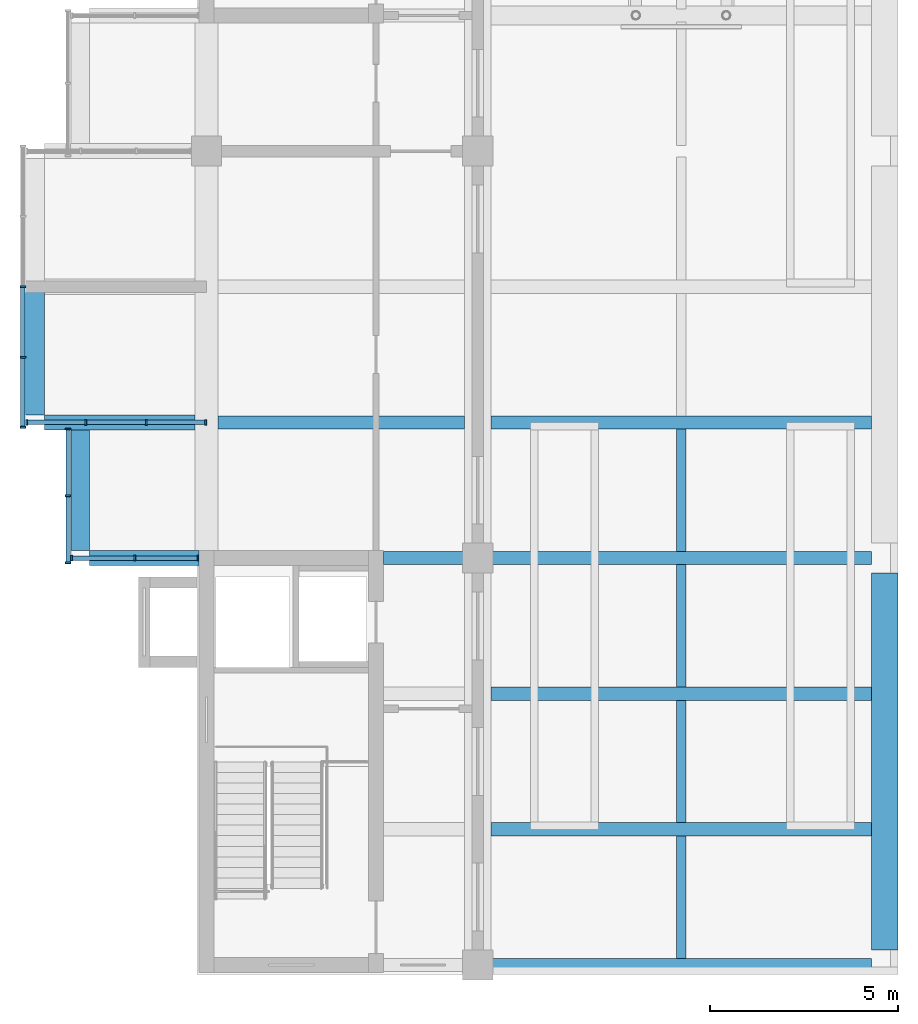
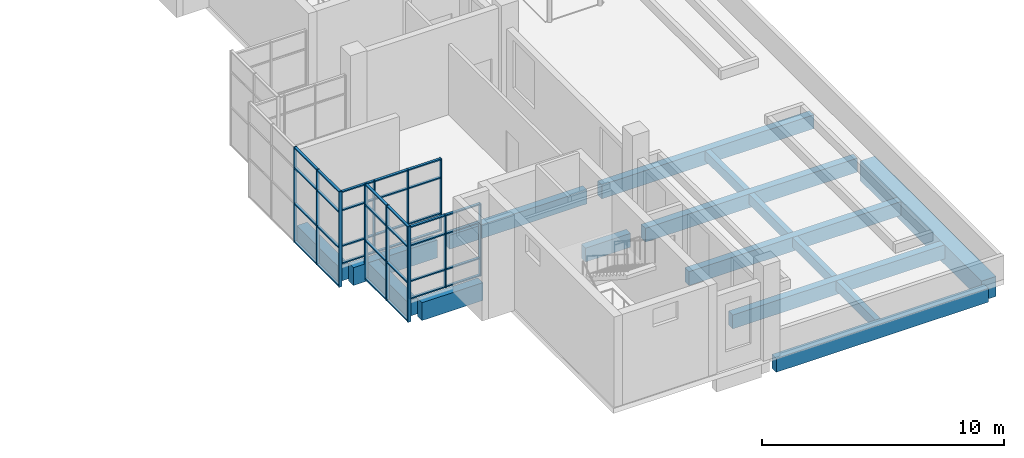
# One storey, part 4 of 16: 49 members, 16 beams, 4 elements without a shape of their own.
"""IFC4 building model written with IfcOpenShell, lengths in metres."""

from ifc_helpers import new_model, si_unit, direction, frame, origin, origin_2d, place, context, subcontext, project, spatial, rectangle, extrude, material, layer, layer_set, material_profile, profile_set, type_object, element, aggregate, save


model = new_model("IFC4")

# Units and contexts
model_context = context("Model", 3, precision=1e-05, world=origin(), true_north=direction((0.0, 1.0)))
body_context = subcontext(model_context, "Body", "Model", "MODEL_VIEW")
ifc_project = project(units=[si_unit("LENGTHUNIT", "METRE"), si_unit("AREAUNIT", "SQUARE_METRE"), si_unit("VOLUMEUNIT", "CUBIC_METRE"), si_unit("PLANEANGLEUNIT", "RADIAN"), si_unit("MASSUNIT", "GRAM", prefix="KILO")], contexts=[model_context])

# Site, building, storey
site_placement = place(None, origin())
site = spatial("IfcSite", under=ifc_project, at=site_placement, CompositionType="ELEMENT")
building_placement = place(site_placement, origin())
building = spatial("IfcBuilding", under=site, at=building_placement, Name="Basin Gate Institute", CompositionType="ELEMENT")
storey_placement = place(building_placement, frame((0.0, 0.0, 65.39990234375)))
storey = spatial("IfcBuildingStorey", under=building, at=storey_placement, Name="L13", CompositionType="ELEMENT", Elevation=65.39990234375)

# Beams
ifc_material_1 = material(Name="Concrete 40 MPa", Category="concrete")
ifc_material_profile_1 = material_profile(ifc_material_1, rectangle(XDim=0.35009765625, YDim=0.699951171875, at=origin_2d()), Name="Beam B1 350 x 700")
ifc_profile_set_1 = profile_set([ifc_material_profile_1], Name="Concrete 40 MPa")
beam_type_1 = type_object("IfcBeamType", Name="Beam B1 R120", PredefinedType="BEAM", material=ifc_profile_set_1)
for number, where, z_axis, x_axis, name in (
    (1, (68.75, 35.10009765625, -0.599853515625), (1.0, 0.0, 0.0), (0.0, 1.0, 0.0), "BEAM/L13/W/EW/01"),
    (2, (68.75, 38.699951171875, -0.599853515625), (1.0, 0.0, 0.0), (0.0, 1.0, 0.0), "BEAM/L13/W/EW/02"),
    (3, (68.75, 42.300048828125, -0.599853515625), (1.0, 0.0, 0.0), (0.0, 1.0, 0.0), "BEAM/L13/W/EW/03"),
    (4, (68.75, 45.89990234375, -0.599853515625), (1.0, 0.0, 0.0), (0.0, 1.0, 0.0), "BEAM/L13/W/EW/04"),
):
    element("IfcBeam", number, at=place(storey_placement, frame(where, z_axis=z_axis, x_axis=x_axis)), inside=storey, type_object=beam_type_1, material=ifc_profile_set_1, Name=name, PredefinedType="BEAM", context=body_context, shape_type="SweptSolid", body=[
        extrude(rectangle(XDim=0.35009765625, YDim=0.699951171875, at=origin_2d()), origin(), (0.0, 0.0, 1.0), 10.10009765625),
    ])
beam_1_placement = place(storey_placement, frame((65.89990234375, 45.89990234375, -0.599853515625), z_axis=(1.0, 0.0, 0.0), x_axis=(0.0, 1.0, 0.0)))
element("IfcBeam", 5, at=beam_1_placement, inside=storey, type_object=beam_type_1, material=ifc_profile_set_1, Name="BEAM/L13/W/CORR/04", PredefinedType="BEAM", context=body_context, shape_type="SweptSolid", body=[
    extrude(rectangle(XDim=0.35009765625, YDim=0.699951171875, at=origin_2d()), origin(), (0.0, 0.0, 1.0), 2.150146484375),
])
beam_2_placement = place(storey_placement, frame((68.75, 49.5, -0.599853515625), z_axis=(1.0, 0.0, 0.0), x_axis=(0.0, 1.0, 0.0)))
element("IfcBeam", 6, at=beam_2_placement, inside=storey, type_object=beam_type_1, material=ifc_profile_set_1, Name="BEAM/L13/W/EW/05", PredefinedType="BEAM", context=body_context, shape_type="SweptSolid", body=[
    extrude(rectangle(XDim=0.35009765625, YDim=0.699951171875, at=origin_2d()), origin(), (0.0, 0.0, 1.0), 10.10009765625),
])
beam_3_placement = place(storey_placement, frame((61.5, 49.5, -0.599853515625), z_axis=(1.0, 0.0, 0.0), x_axis=(0.0, 1.0, 0.0)))
element("IfcBeam", 7, at=beam_3_placement, inside=storey, type_object=beam_type_1, material=ifc_profile_set_1, Name="BEAM/L13/W/OUT/05", PredefinedType="BEAM", context=body_context, shape_type="SweptSolid", body=[
    extrude(rectangle(XDim=0.35009765625, YDim=0.699951171875, at=origin_2d()), origin(), (0.0, 0.0, 1.0), 6.550048828125),
])
ifc_material_2 = material(Name="Concrete 50 MPa", Category="concrete")
ifc_material_profile_2 = material_profile(ifc_material_2, rectangle(XDim=0.39990234375, YDim=0.89990234375, at=origin_2d()), Name="Cantilever beam B3 400 x 900")
ifc_profile_set_2 = profile_set([ifc_material_profile_2], Name="Concrete 50 MPa")
beam_type_2 = type_object("IfcBeamType", Name="Cantilever beam B3 R120", PredefinedType="BEAM", material=ifc_profile_set_2)
beam_4_placement = place(storey_placement, frame((58.10009765625, 45.89990234375, -0.699951171875), z_axis=(1.0, 0.0, 0.0), x_axis=(0.0, 1.0, 0.0)))
element("IfcBeam", 8, at=beam_4_placement, inside=storey, type_object=beam_type_2, material=ifc_profile_set_2, Name="BEAM/L13/W/CANT/04", PredefinedType="BEAM", context=body_context, shape_type="SweptSolid", body=[
    extrude(rectangle(XDim=0.39990234375, YDim=0.89990234375, at=origin_2d()), origin(), (0.0, 0.0, 1.0), 2.89990234375),
])
beam_5_placement = place(storey_placement, frame((56.89990234375, 49.5, -0.699951171875), z_axis=(1.0, 0.0, 0.0), x_axis=(0.0, 1.0, 0.0)))
element("IfcBeam", 9, at=beam_5_placement, inside=storey, type_object=beam_type_2, material=ifc_profile_set_2, Name="BEAM/L13/W/CANT/05", PredefinedType="BEAM", context=body_context, shape_type="SweptSolid", body=[
    extrude(rectangle(XDim=0.39990234375, YDim=0.89990234375, at=origin_2d()), origin(), (0.0, 0.0, 1.0), 4.0),
])
ifc_material_3 = material(Name="Concrete 50 MPa", Category="concrete")
ifc_material_profile_3 = material_profile(ifc_material_3, rectangle(XDim=0.699951171875, YDim=1.0, at=origin_2d()), Name="Girder G1 700 x 1000")
ifc_profile_set_3 = profile_set([ifc_material_profile_3], Name="Concrete 50 MPa")
beam_type_3 = type_object("IfcBeamType", Name="Girder G1 R120", PredefinedType="BEAM", material=ifc_profile_set_3)
beam_6_placement = place(storey_placement, frame((79.199951171875, 35.5, -0.75), z_axis=(0.0, 1.0, 0.0), x_axis=(-1.0, 0.0, 0.0)))
element("IfcBeam", 10, at=beam_6_placement, inside=storey, type_object=beam_type_3, material=ifc_profile_set_3, Name="GIR/L13/W6/1", PredefinedType="BEAM", context=body_context, shape_type="SweptSolid", body=[
    extrude(rectangle(XDim=0.699951171875, YDim=1.0, at=origin_2d()), origin(), (0.0, 0.0, 1.0), 10.0),
])

# Curtain wall, members
ifc_material_4 = material(Name="Aluminium-framed glazing", Category="aluminium")
ifc_layer = layer(ifc_material_4, 0.14990234375)
ifc_layer_set = layer_set([ifc_layer], Name="Capsule front curtain wall CW1")
curtain_wall_type = type_object("IfcCurtainWallType", Name="Capsule front curtain wall CW1", PredefinedType="NOTDEFINED", material=ifc_layer_set)
curtain_wall_1_placement = place(storey_placement, origin())
curtain_wall_1 = element("IfcCurtainWall", 11, at=curtain_wall_1_placement, inside=storey, type_object=curtain_wall_type, material=ifc_layer_set, Name="Capsule front curtain wall W wing capsule end L13 line 4", PredefinedType="NOTDEFINED")
ifc_material_5 = material(Name="Aluminium", Category="aluminium")
ifc_material_profile_4 = material_profile(ifc_material_5, rectangle(XDim=0.14990234375, YDim=0.050048828125, at=origin_2d()), Name="Mullion MU1 150 x 50")
ifc_profile_set_4 = profile_set([ifc_material_profile_4], Name="Aluminium")
member_type_1 = type_object("IfcMemberType", Name="Mullion MU1", PredefinedType="MULLION", material=ifc_profile_set_4)
member_1_placement = place(storey_placement, frame((57.625, 45.89990234375, 0.0), z_axis=(0.0, 0.0, 1.0), x_axis=(0.0, 1.0, 0.0)))
member_1 = element("IfcMember", 12, at=member_1_placement, type_object=member_type_1, material=ifc_profile_set_4, Name="CW1 mullion 1", PredefinedType="MULLION", context=body_context, shape_type="SweptSolid", body=[
    extrude(rectangle(XDim=0.14990234375, YDim=0.050048828125, at=origin_2d()), origin(), (0.0, 0.0, 1.0), 3.650146484375),
])
member_2_placement = place(storey_placement, frame((59.300048828125, 45.89990234375, 0.0), z_axis=(0.0, 0.0, 1.0), x_axis=(0.0, 1.0, 0.0)))
member_2 = element("IfcMember", 13, at=member_2_placement, type_object=member_type_1, material=ifc_profile_set_4, Name="CW1 mullion 2", PredefinedType="MULLION", context=body_context, shape_type="SweptSolid", body=[
    extrude(rectangle(XDim=0.14990234375, YDim=0.050048828125, at=origin_2d()), origin(), (0.0, 0.0, 1.0), 3.650146484375),
])
member_3_placement = place(storey_placement, frame((60.97509765625, 45.89990234375, 0.0), z_axis=(0.0, 0.0, 1.0), x_axis=(0.0, 1.0, 0.0)))
member_3 = element("IfcMember", 14, at=member_3_placement, type_object=member_type_1, material=ifc_profile_set_4, Name="CW1 mullion 3", PredefinedType="MULLION", context=body_context, shape_type="SweptSolid", body=[
    extrude(rectangle(XDim=0.14990234375, YDim=0.050048828125, at=origin_2d()), origin(), (0.0, 0.0, 1.0), 3.650146484375),
])

curtain_wall_2_placement = place(storey_placement, origin())
curtain_wall_2 = element("IfcCurtainWall", 15, at=curtain_wall_2_placement, inside=storey, type_object=curtain_wall_type, material=ifc_layer_set, Name="Capsule front curtain wall W wing capsule end L13 line 5", PredefinedType="NOTDEFINED")
member_4_placement = place(storey_placement, frame((56.425048828125, 49.5, 0.0), z_axis=(0.0, 0.0, 1.0), x_axis=(0.0, 1.0, 0.0)))
member_4 = element("IfcMember", 16, at=member_4_placement, type_object=member_type_1, material=ifc_profile_set_4, Name="CW1 mullion 1", PredefinedType="MULLION", context=body_context, shape_type="SweptSolid", body=[
    extrude(rectangle(XDim=0.14990234375, YDim=0.050048828125, at=origin_2d()), origin(), (0.0, 0.0, 1.0), 3.650146484375),
])
member_5_placement = place(storey_placement, frame((58.0, 49.5, 0.0), z_axis=(0.0, 0.0, 1.0), x_axis=(0.0, 1.0, 0.0)))
member_5 = element("IfcMember", 17, at=member_5_placement, type_object=member_type_1, material=ifc_profile_set_4, Name="CW1 mullion 2", PredefinedType="MULLION", context=body_context, shape_type="SweptSolid", body=[
    extrude(rectangle(XDim=0.14990234375, YDim=0.050048828125, at=origin_2d()), origin(), (0.0, 0.0, 1.0), 3.650146484375),
])
member_6_placement = place(storey_placement, frame((59.60009765625, 49.5, 0.0), z_axis=(0.0, 0.0, 1.0), x_axis=(0.0, 1.0, 0.0)))
member_6 = element("IfcMember", 18, at=member_6_placement, type_object=member_type_1, material=ifc_profile_set_4, Name="CW1 mullion 3", PredefinedType="MULLION", context=body_context, shape_type="SweptSolid", body=[
    extrude(rectangle(XDim=0.14990234375, YDim=0.050048828125, at=origin_2d()), origin(), (0.0, 0.0, 1.0), 3.650146484375),
])
member_7_placement = place(storey_placement, frame((61.175048828125, 49.5, 0.0), z_axis=(0.0, 0.0, 1.0), x_axis=(0.0, 1.0, 0.0)))
member_7 = element("IfcMember", 19, at=member_7_placement, type_object=member_type_1, material=ifc_profile_set_4, Name="CW1 mullion 4", PredefinedType="MULLION", context=body_context, shape_type="SweptSolid", body=[
    extrude(rectangle(XDim=0.14990234375, YDim=0.050048828125, at=origin_2d()), origin(), (0.0, 0.0, 1.0), 3.650146484375),
])

curtain_wall_3_placement = place(storey_placement, origin())
curtain_wall_3 = element("IfcCurtainWall", 20, at=curtain_wall_3_placement, inside=storey, type_object=curtain_wall_type, material=ifc_layer_set, Name="Capsule front curtain wall W wing capsule 1 L13 front 1", PredefinedType="NOTDEFINED")
member_8_placement = place(storey_placement, frame((57.52490234375, 45.77490234375, -1.0498046875), z_axis=(0.0, 0.0, 1.0), x_axis=(-1.0, 0.0, 0.0)))
member_8 = element("IfcMember", 21, at=member_8_placement, type_object=member_type_1, material=ifc_profile_set_4, Name="CW1 mullion 1", PredefinedType="MULLION", context=body_context, shape_type="SweptSolid", body=[
    extrude(rectangle(XDim=0.14990234375, YDim=0.050048828125, at=origin_2d()), origin(), (0.0, 0.0, 1.0), 4.7998046875),
])
member_9_placement = place(storey_placement, frame((57.52490234375, 47.550048828125, -1.0498046875), z_axis=(0.0, 0.0, 1.0), x_axis=(-1.0, 0.0, 0.0)))
member_9 = element("IfcMember", 22, at=member_9_placement, type_object=member_type_1, material=ifc_profile_set_4, Name="CW1 mullion 2", PredefinedType="MULLION", context=body_context, shape_type="SweptSolid", body=[
    extrude(rectangle(XDim=0.14990234375, YDim=0.050048828125, at=origin_2d()), origin(), (0.0, 0.0, 1.0), 4.7998046875),
])
member_10_placement = place(storey_placement, frame((57.52490234375, 49.324951171875, -1.0498046875), z_axis=(0.0, 0.0, 1.0), x_axis=(-1.0, 0.0, 0.0)))
member_10 = element("IfcMember", 23, at=member_10_placement, type_object=member_type_1, material=ifc_profile_set_4, Name="CW1 mullion 3", PredefinedType="MULLION", context=body_context, shape_type="SweptSolid", body=[
    extrude(rectangle(XDim=0.14990234375, YDim=0.050048828125, at=origin_2d()), origin(), (0.0, 0.0, 1.0), 4.7998046875),
])

curtain_wall_4_placement = place(storey_placement, origin())
curtain_wall_4 = element("IfcCurtainWall", 24, at=curtain_wall_4_placement, inside=storey, type_object=curtain_wall_type, material=ifc_layer_set, Name="Capsule front curtain wall W wing capsule 1 L13 front 2", PredefinedType="NOTDEFINED")
member_11_placement = place(storey_placement, frame((56.324951171875, 49.375, -1.0498046875), z_axis=(0.0, 0.0, 1.0), x_axis=(-1.0, 0.0, 0.0)))
member_11 = element("IfcMember", 25, at=member_11_placement, type_object=member_type_1, material=ifc_profile_set_4, Name="CW1 mullion 1", PredefinedType="MULLION", context=body_context, shape_type="SweptSolid", body=[
    extrude(rectangle(XDim=0.14990234375, YDim=0.050048828125, at=origin_2d()), origin(), (0.0, 0.0, 1.0), 4.7998046875),
])
member_12_placement = place(storey_placement, frame((56.324951171875, 51.22509765625, -1.0498046875), z_axis=(0.0, 0.0, 1.0), x_axis=(-1.0, 0.0, 0.0)))
member_12 = element("IfcMember", 26, at=member_12_placement, type_object=member_type_1, material=ifc_profile_set_4, Name="CW1 mullion 2", PredefinedType="MULLION", context=body_context, shape_type="SweptSolid", body=[
    extrude(rectangle(XDim=0.14990234375, YDim=0.050048828125, at=origin_2d()), origin(), (0.0, 0.0, 1.0), 4.7998046875),
])
member_13_placement = place(storey_placement, frame((56.324951171875, 53.10009765625, -1.0498046875), z_axis=(0.0, 0.0, 1.0), x_axis=(-1.0, 0.0, 0.0)))
member_13 = element("IfcMember", 27, at=member_13_placement, type_object=member_type_1, material=ifc_profile_set_4, Name="CW1 mullion 3", PredefinedType="MULLION", context=body_context, shape_type="SweptSolid", body=[
    extrude(rectangle(XDim=0.14990234375, YDim=0.050048828125, at=origin_2d()), origin(), (0.0, 0.0, 1.0), 4.7998046875),
])

# Beams
ifc_material_6 = material(Name="Concrete 40 MPa", Category="concrete")
ifc_material_profile_5 = material_profile(ifc_material_6, rectangle(XDim=0.25, YDim=0.5, at=origin_2d()), Name="Rib R1 250 x 500")
ifc_profile_set_5 = profile_set([ifc_material_profile_5], Name="Concrete 40 MPa")
beam_type_4 = type_object("IfcBeamType", Name="Rib R1 R120", PredefinedType="JOIST", material=ifc_profile_set_5)
for number, where, z_axis, x_axis, name in (
    (28, (73.800048828125, 35.27490234375, -0.5), (0.0, 1.0, 0.0), (-1.0, 0.0, 0.0), "BEAM/L13/W/RIB/01"),
    (29, (73.800048828125, 38.875, -0.5), (0.0, 1.0, 0.0), (-1.0, 0.0, 0.0), "BEAM/L13/W/RIB/02"),
    (30, (73.800048828125, 42.47509765625, -0.5), (0.0, 1.0, 0.0), (-1.0, 0.0, 0.0), "BEAM/L13/W/RIB/03"),
    (31, (73.800048828125, 46.074951171875, -0.5), (0.0, 1.0, 0.0), (-1.0, 0.0, 0.0), "BEAM/L13/W/RIB/04"),
):
    element("IfcBeam", number, at=place(storey_placement, frame(where, z_axis=z_axis, x_axis=x_axis)), inside=storey, type_object=beam_type_4, material=ifc_profile_set_5, Name=name, PredefinedType="JOIST", context=body_context, shape_type="SweptSolid", body=[
        extrude(rectangle(XDim=0.25, YDim=0.5, at=origin_2d()), origin(), (0.0, 0.0, 1.0), 3.25),
    ])
ifc_material_7 = material(Name="Concrete 50 MPa", Category="concrete")
ifc_material_profile_6 = material_profile(ifc_material_7, rectangle(XDim=0.5, YDim=0.800048828125, at=origin_2d()), Name="Tip beam TB1 500 x 800")
ifc_profile_set_6 = profile_set([ifc_material_profile_6], Name="Concrete 50 MPa")
beam_type_5 = type_object("IfcBeamType", Name="Tip beam TB1 R120", PredefinedType="SPANDREL", material=ifc_profile_set_6)
beam_7_placement = place(storey_placement, frame((57.85009765625, 46.10009765625, -0.64990234375), z_axis=(0.0, 1.0, 0.0), x_axis=(-1.0, 0.0, 0.0)))
element("IfcBeam", 32, at=beam_7_placement, inside=storey, type_object=beam_type_5, material=ifc_profile_set_6, Name="BEAM/L13/W/TIP/1", PredefinedType="SPANDREL", context=body_context, shape_type="SweptSolid", body=[
    extrude(rectangle(XDim=0.5, YDim=0.800048828125, at=origin_2d()), origin(), (0.0, 0.0, 1.0), 3.199951171875),
])
beam_8_placement = place(storey_placement, frame((56.64990234375, 49.699951171875, -0.64990234375), z_axis=(0.0, 1.0, 0.0), x_axis=(-1.0, 0.0, 0.0)))
element("IfcBeam", 33, at=beam_8_placement, inside=storey, type_object=beam_type_5, material=ifc_profile_set_6, Name="BEAM/L13/W/TIP/2", PredefinedType="SPANDREL", context=body_context, shape_type="SweptSolid", body=[
    extrude(rectangle(XDim=0.5, YDim=0.800048828125, at=origin_2d()), origin(), (0.0, 0.0, 1.0), 3.400146484375),
])

# Member
ifc_material_8 = material(Name="Aluminium", Category="aluminium")
ifc_material_profile_7 = material_profile(ifc_material_8, rectangle(XDim=0.1201171875, YDim=0.06005859375, at=origin_2d()), Name="Transom TR1 120 x 60")
ifc_profile_set_7 = profile_set([ifc_material_profile_7], Name="Aluminium")
member_type_2 = type_object("IfcMemberType", Name="Transom TR1", PredefinedType="USERDEFINED", material=ifc_profile_set_7)
member_14_placement = place(storey_placement, frame((57.64990234375, 45.89990234375, 0.030029296875), z_axis=(1.0, 0.0, 0.0), x_axis=(0.0, 1.0, 0.0)))
member_14 = element("IfcMember", 34, at=member_14_placement, type_object=member_type_2, material=ifc_profile_set_7, Name="CW1 transom 1.1", ObjectType="TRANSOM", PredefinedType="USERDEFINED", context=body_context, shape_type="SweptSolid", body=[
    extrude(rectangle(XDim=0.1201171875, YDim=0.06005859375, at=origin_2d()), origin(), (0.0, 0.0, 1.0), 1.625),
])

member_15_placement = place(storey_placement, frame((57.64990234375, 45.89990234375, 0.900146484375), z_axis=(1.0, 0.0, 0.0), x_axis=(0.0, 1.0, 0.0)))
member_15 = element("IfcMember", 35, at=member_15_placement, type_object=member_type_2, material=ifc_profile_set_7, Name="CW1 transom 1.2", ObjectType="TRANSOM", PredefinedType="USERDEFINED", context=body_context, shape_type="SweptSolid", body=[
    extrude(rectangle(XDim=0.1201171875, YDim=0.06005859375, at=origin_2d()), origin(), (0.0, 0.0, 1.0), 1.625),
])

member_16_placement = place(storey_placement, frame((57.64990234375, 45.89990234375, 2.7001953125), z_axis=(1.0, 0.0, 0.0), x_axis=(0.0, 1.0, 0.0)))
member_16 = element("IfcMember", 36, at=member_16_placement, type_object=member_type_2, material=ifc_profile_set_7, Name="CW1 transom 1.3", ObjectType="TRANSOM", PredefinedType="USERDEFINED", context=body_context, shape_type="SweptSolid", body=[
    extrude(rectangle(XDim=0.1201171875, YDim=0.06005859375, at=origin_2d()), origin(), (0.0, 0.0, 1.0), 1.625),
])

member_17_placement = place(storey_placement, frame((57.64990234375, 45.89990234375, 3.6201171875), z_axis=(1.0, 0.0, 0.0), x_axis=(0.0, 1.0, 0.0)))
member_17 = element("IfcMember", 37, at=member_17_placement, type_object=member_type_2, material=ifc_profile_set_7, Name="CW1 transom 1.4", ObjectType="TRANSOM", PredefinedType="USERDEFINED", context=body_context, shape_type="SweptSolid", body=[
    extrude(rectangle(XDim=0.1201171875, YDim=0.06005859375, at=origin_2d()), origin(), (0.0, 0.0, 1.0), 1.625),
])

member_18_placement = place(storey_placement, frame((59.324951171875, 45.89990234375, 0.030029296875), z_axis=(1.0, 0.0, 0.0), x_axis=(0.0, 1.0, 0.0)))
member_18 = element("IfcMember", 38, at=member_18_placement, type_object=member_type_2, material=ifc_profile_set_7, Name="CW1 transom 2.1", ObjectType="TRANSOM", PredefinedType="USERDEFINED", context=body_context, shape_type="SweptSolid", body=[
    extrude(rectangle(XDim=0.1201171875, YDim=0.06005859375, at=origin_2d()), origin(), (0.0, 0.0, 1.0), 1.625),
])

member_19_placement = place(storey_placement, frame((59.324951171875, 45.89990234375, 0.900146484375), z_axis=(1.0, 0.0, 0.0), x_axis=(0.0, 1.0, 0.0)))
member_19 = element("IfcMember", 39, at=member_19_placement, type_object=member_type_2, material=ifc_profile_set_7, Name="CW1 transom 2.2", ObjectType="TRANSOM", PredefinedType="USERDEFINED", context=body_context, shape_type="SweptSolid", body=[
    extrude(rectangle(XDim=0.1201171875, YDim=0.06005859375, at=origin_2d()), origin(), (0.0, 0.0, 1.0), 1.625),
])

member_20_placement = place(storey_placement, frame((59.324951171875, 45.89990234375, 2.7001953125), z_axis=(1.0, 0.0, 0.0), x_axis=(0.0, 1.0, 0.0)))
member_20 = element("IfcMember", 40, at=member_20_placement, type_object=member_type_2, material=ifc_profile_set_7, Name="CW1 transom 2.3", ObjectType="TRANSOM", PredefinedType="USERDEFINED", context=body_context, shape_type="SweptSolid", body=[
    extrude(rectangle(XDim=0.1201171875, YDim=0.06005859375, at=origin_2d()), origin(), (0.0, 0.0, 1.0), 1.625),
])

member_21_placement = place(storey_placement, frame((59.324951171875, 45.89990234375, 3.6201171875), z_axis=(1.0, 0.0, 0.0), x_axis=(0.0, 1.0, 0.0)))
member_21 = element("IfcMember", 41, at=member_21_placement, type_object=member_type_2, material=ifc_profile_set_7, Name="CW1 transom 2.4", ObjectType="TRANSOM", PredefinedType="USERDEFINED", context=body_context, shape_type="SweptSolid", body=[
    extrude(rectangle(XDim=0.1201171875, YDim=0.06005859375, at=origin_2d()), origin(), (0.0, 0.0, 1.0), 1.625),
])

aggregate(curtain_wall_1, [member_1, member_2, member_3, member_14, member_15, member_16, member_17, member_18, member_19, member_20, member_21])

member_22_placement = place(storey_placement, frame((56.449951171875, 49.5, 0.030029296875), z_axis=(1.0, 0.0, 0.0), x_axis=(0.0, 1.0, 0.0)))
member_22 = element("IfcMember", 42, at=member_22_placement, type_object=member_type_2, material=ifc_profile_set_7, Name="CW1 transom 1.1", ObjectType="TRANSOM", PredefinedType="USERDEFINED", context=body_context, shape_type="SweptSolid", body=[
    extrude(rectangle(XDim=0.1201171875, YDim=0.06005859375, at=origin_2d()), origin(), (0.0, 0.0, 1.0), 1.525146484375),
])

member_23_placement = place(storey_placement, frame((56.449951171875, 49.5, 0.900146484375), z_axis=(1.0, 0.0, 0.0), x_axis=(0.0, 1.0, 0.0)))
member_23 = element("IfcMember", 43, at=member_23_placement, type_object=member_type_2, material=ifc_profile_set_7, Name="CW1 transom 1.2", ObjectType="TRANSOM", PredefinedType="USERDEFINED", context=body_context, shape_type="SweptSolid", body=[
    extrude(rectangle(XDim=0.1201171875, YDim=0.06005859375, at=origin_2d()), origin(), (0.0, 0.0, 1.0), 1.525146484375),
])

member_24_placement = place(storey_placement, frame((56.449951171875, 49.5, 2.7001953125), z_axis=(1.0, 0.0, 0.0), x_axis=(0.0, 1.0, 0.0)))
member_24 = element("IfcMember", 44, at=member_24_placement, type_object=member_type_2, material=ifc_profile_set_7, Name="CW1 transom 1.3", ObjectType="TRANSOM", PredefinedType="USERDEFINED", context=body_context, shape_type="SweptSolid", body=[
    extrude(rectangle(XDim=0.1201171875, YDim=0.06005859375, at=origin_2d()), origin(), (0.0, 0.0, 1.0), 1.525146484375),
])

member_25_placement = place(storey_placement, frame((56.449951171875, 49.5, 3.6201171875), z_axis=(1.0, 0.0, 0.0), x_axis=(0.0, 1.0, 0.0)))
member_25 = element("IfcMember", 45, at=member_25_placement, type_object=member_type_2, material=ifc_profile_set_7, Name="CW1 transom 1.4", ObjectType="TRANSOM", PredefinedType="USERDEFINED", context=body_context, shape_type="SweptSolid", body=[
    extrude(rectangle(XDim=0.1201171875, YDim=0.06005859375, at=origin_2d()), origin(), (0.0, 0.0, 1.0), 1.525146484375),
])

member_26_placement = place(storey_placement, frame((58.02490234375, 49.5, 0.030029296875), z_axis=(1.0, 0.0, 0.0), x_axis=(0.0, 1.0, 0.0)))
member_26 = element("IfcMember", 46, at=member_26_placement, type_object=member_type_2, material=ifc_profile_set_7, Name="CW1 transom 2.1", ObjectType="TRANSOM", PredefinedType="USERDEFINED", context=body_context, shape_type="SweptSolid", body=[
    extrude(rectangle(XDim=0.1201171875, YDim=0.06005859375, at=origin_2d()), origin(), (0.0, 0.0, 1.0), 1.550048828125),
])

member_27_placement = place(storey_placement, frame((58.02490234375, 49.5, 0.900146484375), z_axis=(1.0, 0.0, 0.0), x_axis=(0.0, 1.0, 0.0)))
member_27 = element("IfcMember", 47, at=member_27_placement, type_object=member_type_2, material=ifc_profile_set_7, Name="CW1 transom 2.2", ObjectType="TRANSOM", PredefinedType="USERDEFINED", context=body_context, shape_type="SweptSolid", body=[
    extrude(rectangle(XDim=0.1201171875, YDim=0.06005859375, at=origin_2d()), origin(), (0.0, 0.0, 1.0), 1.550048828125),
])

member_28_placement = place(storey_placement, frame((58.02490234375, 49.5, 2.7001953125), z_axis=(1.0, 0.0, 0.0), x_axis=(0.0, 1.0, 0.0)))
member_28 = element("IfcMember", 48, at=member_28_placement, type_object=member_type_2, material=ifc_profile_set_7, Name="CW1 transom 2.3", ObjectType="TRANSOM", PredefinedType="USERDEFINED", context=body_context, shape_type="SweptSolid", body=[
    extrude(rectangle(XDim=0.1201171875, YDim=0.06005859375, at=origin_2d()), origin(), (0.0, 0.0, 1.0), 1.550048828125),
])

member_29_placement = place(storey_placement, frame((58.02490234375, 49.5, 3.6201171875), z_axis=(1.0, 0.0, 0.0), x_axis=(0.0, 1.0, 0.0)))
member_29 = element("IfcMember", 49, at=member_29_placement, type_object=member_type_2, material=ifc_profile_set_7, Name="CW1 transom 2.4", ObjectType="TRANSOM", PredefinedType="USERDEFINED", context=body_context, shape_type="SweptSolid", body=[
    extrude(rectangle(XDim=0.1201171875, YDim=0.06005859375, at=origin_2d()), origin(), (0.0, 0.0, 1.0), 1.550048828125),
])

member_30_placement = place(storey_placement, frame((59.625, 49.5, 0.030029296875), z_axis=(1.0, 0.0, 0.0), x_axis=(0.0, 1.0, 0.0)))
member_30 = element("IfcMember", 50, at=member_30_placement, type_object=member_type_2, material=ifc_profile_set_7, Name="CW1 transom 3.1", ObjectType="TRANSOM", PredefinedType="USERDEFINED", context=body_context, shape_type="SweptSolid", body=[
    extrude(rectangle(XDim=0.1201171875, YDim=0.06005859375, at=origin_2d()), origin(), (0.0, 0.0, 1.0), 1.52490234375),
])

member_31_placement = place(storey_placement, frame((59.625, 49.5, 0.900146484375), z_axis=(1.0, 0.0, 0.0), x_axis=(0.0, 1.0, 0.0)))
member_31 = element("IfcMember", 51, at=member_31_placement, type_object=member_type_2, material=ifc_profile_set_7, Name="CW1 transom 3.2", ObjectType="TRANSOM", PredefinedType="USERDEFINED", context=body_context, shape_type="SweptSolid", body=[
    extrude(rectangle(XDim=0.1201171875, YDim=0.06005859375, at=origin_2d()), origin(), (0.0, 0.0, 1.0), 1.52490234375),
])

member_32_placement = place(storey_placement, frame((59.625, 49.5, 2.7001953125), z_axis=(1.0, 0.0, 0.0), x_axis=(0.0, 1.0, 0.0)))
member_32 = element("IfcMember", 52, at=member_32_placement, type_object=member_type_2, material=ifc_profile_set_7, Name="CW1 transom 3.3", ObjectType="TRANSOM", PredefinedType="USERDEFINED", context=body_context, shape_type="SweptSolid", body=[
    extrude(rectangle(XDim=0.1201171875, YDim=0.06005859375, at=origin_2d()), origin(), (0.0, 0.0, 1.0), 1.52490234375),
])

member_33_placement = place(storey_placement, frame((59.625, 49.5, 3.6201171875), z_axis=(1.0, 0.0, 0.0), x_axis=(0.0, 1.0, 0.0)))
member_33 = element("IfcMember", 53, at=member_33_placement, type_object=member_type_2, material=ifc_profile_set_7, Name="CW1 transom 3.4", ObjectType="TRANSOM", PredefinedType="USERDEFINED", context=body_context, shape_type="SweptSolid", body=[
    extrude(rectangle(XDim=0.1201171875, YDim=0.06005859375, at=origin_2d()), origin(), (0.0, 0.0, 1.0), 1.52490234375),
])

aggregate(curtain_wall_2, [member_4, member_5, member_6, member_7, member_22, member_23, member_24, member_25, member_26, member_27, member_28, member_29, member_30, member_31, member_32, member_33])

member_34_placement = place(storey_placement, frame((57.52490234375, 45.800048828125, -1.02001953125), z_axis=(0.0, 1.0, 0.0), x_axis=(-1.0, 0.0, 0.0)))
member_34 = element("IfcMember", 54, at=member_34_placement, type_object=member_type_2, material=ifc_profile_set_7, Name="CW1 transom 1.1", ObjectType="TRANSOM", PredefinedType="USERDEFINED", context=body_context, shape_type="SweptSolid", body=[
    extrude(rectangle(XDim=0.1201171875, YDim=0.06005859375, at=origin_2d()), origin(), (0.0, 0.0, 1.0), 1.724853515625),
])

member_35_placement = place(storey_placement, frame((57.52490234375, 45.800048828125, 0.900146484375), z_axis=(0.0, 1.0, 0.0), x_axis=(-1.0, 0.0, 0.0)))
member_35 = element("IfcMember", 55, at=member_35_placement, type_object=member_type_2, material=ifc_profile_set_7, Name="CW1 transom 1.2", ObjectType="TRANSOM", PredefinedType="USERDEFINED", context=body_context, shape_type="SweptSolid", body=[
    extrude(rectangle(XDim=0.1201171875, YDim=0.06005859375, at=origin_2d()), origin(), (0.0, 0.0, 1.0), 1.724853515625),
])

member_36_placement = place(storey_placement, frame((57.52490234375, 45.800048828125, 2.7001953125), z_axis=(0.0, 1.0, 0.0), x_axis=(-1.0, 0.0, 0.0)))
member_36 = element("IfcMember", 56, at=member_36_placement, type_object=member_type_2, material=ifc_profile_set_7, Name="CW1 transom 1.3", ObjectType="TRANSOM", PredefinedType="USERDEFINED", context=body_context, shape_type="SweptSolid", body=[
    extrude(rectangle(XDim=0.1201171875, YDim=0.06005859375, at=origin_2d()), origin(), (0.0, 0.0, 1.0), 1.724853515625),
])

member_37_placement = place(storey_placement, frame((57.52490234375, 45.800048828125, 3.72021484375), z_axis=(0.0, 1.0, 0.0), x_axis=(-1.0, 0.0, 0.0)))
member_37 = element("IfcMember", 57, at=member_37_placement, type_object=member_type_2, material=ifc_profile_set_7, Name="CW1 transom 1.4", ObjectType="TRANSOM", PredefinedType="USERDEFINED", context=body_context, shape_type="SweptSolid", body=[
    extrude(rectangle(XDim=0.1201171875, YDim=0.06005859375, at=origin_2d()), origin(), (0.0, 0.0, 1.0), 1.724853515625),
])

member_38_placement = place(storey_placement, frame((57.52490234375, 47.574951171875, -1.02001953125), z_axis=(0.0, 1.0, 0.0), x_axis=(-1.0, 0.0, 0.0)))
member_38 = element("IfcMember", 58, at=member_38_placement, type_object=member_type_2, material=ifc_profile_set_7, Name="CW1 transom 2.1", ObjectType="TRANSOM", PredefinedType="USERDEFINED", context=body_context, shape_type="SweptSolid", body=[
    extrude(rectangle(XDim=0.1201171875, YDim=0.06005859375, at=origin_2d()), origin(), (0.0, 0.0, 1.0), 1.72509765625),
])

member_39_placement = place(storey_placement, frame((57.52490234375, 47.574951171875, 0.900146484375), z_axis=(0.0, 1.0, 0.0), x_axis=(-1.0, 0.0, 0.0)))
member_39 = element("IfcMember", 59, at=member_39_placement, type_object=member_type_2, material=ifc_profile_set_7, Name="CW1 transom 2.2", ObjectType="TRANSOM", PredefinedType="USERDEFINED", context=body_context, shape_type="SweptSolid", body=[
    extrude(rectangle(XDim=0.1201171875, YDim=0.06005859375, at=origin_2d()), origin(), (0.0, 0.0, 1.0), 1.72509765625),
])

member_40_placement = place(storey_placement, frame((57.52490234375, 47.574951171875, 2.7001953125), z_axis=(0.0, 1.0, 0.0), x_axis=(-1.0, 0.0, 0.0)))
member_40 = element("IfcMember", 60, at=member_40_placement, type_object=member_type_2, material=ifc_profile_set_7, Name="CW1 transom 2.3", ObjectType="TRANSOM", PredefinedType="USERDEFINED", context=body_context, shape_type="SweptSolid", body=[
    extrude(rectangle(XDim=0.1201171875, YDim=0.06005859375, at=origin_2d()), origin(), (0.0, 0.0, 1.0), 1.72509765625),
])

member_41_placement = place(storey_placement, frame((57.52490234375, 47.574951171875, 3.72021484375), z_axis=(0.0, 1.0, 0.0), x_axis=(-1.0, 0.0, 0.0)))
member_41 = element("IfcMember", 61, at=member_41_placement, type_object=member_type_2, material=ifc_profile_set_7, Name="CW1 transom 2.4", ObjectType="TRANSOM", PredefinedType="USERDEFINED", context=body_context, shape_type="SweptSolid", body=[
    extrude(rectangle(XDim=0.1201171875, YDim=0.06005859375, at=origin_2d()), origin(), (0.0, 0.0, 1.0), 1.72509765625),
])

aggregate(curtain_wall_3, [member_8, member_9, member_10, member_34, member_35, member_36, member_37, member_38, member_39, member_40, member_41])

member_42_placement = place(storey_placement, frame((56.324951171875, 49.39990234375, -1.02001953125), z_axis=(0.0, 1.0, 0.0), x_axis=(-1.0, 0.0, 0.0)))
member_42 = element("IfcMember", 62, at=member_42_placement, type_object=member_type_2, material=ifc_profile_set_7, Name="CW1 transom 1.1", ObjectType="TRANSOM", PredefinedType="USERDEFINED", context=body_context, shape_type="SweptSolid", body=[
    extrude(rectangle(XDim=0.1201171875, YDim=0.06005859375, at=origin_2d()), origin(), (0.0, 0.0, 1.0), 1.800048828125),
])

member_43_placement = place(storey_placement, frame((56.324951171875, 49.39990234375, 0.900146484375), z_axis=(0.0, 1.0, 0.0), x_axis=(-1.0, 0.0, 0.0)))
member_43 = element("IfcMember", 63, at=member_43_placement, type_object=member_type_2, material=ifc_profile_set_7, Name="CW1 transom 1.2", ObjectType="TRANSOM", PredefinedType="USERDEFINED", context=body_context, shape_type="SweptSolid", body=[
    extrude(rectangle(XDim=0.1201171875, YDim=0.06005859375, at=origin_2d()), origin(), (0.0, 0.0, 1.0), 1.800048828125),
])

member_44_placement = place(storey_placement, frame((56.324951171875, 49.39990234375, 2.7001953125), z_axis=(0.0, 1.0, 0.0), x_axis=(-1.0, 0.0, 0.0)))
member_44 = element("IfcMember", 64, at=member_44_placement, type_object=member_type_2, material=ifc_profile_set_7, Name="CW1 transom 1.3", ObjectType="TRANSOM", PredefinedType="USERDEFINED", context=body_context, shape_type="SweptSolid", body=[
    extrude(rectangle(XDim=0.1201171875, YDim=0.06005859375, at=origin_2d()), origin(), (0.0, 0.0, 1.0), 1.800048828125),
])

member_45_placement = place(storey_placement, frame((56.324951171875, 49.39990234375, 3.72021484375), z_axis=(0.0, 1.0, 0.0), x_axis=(-1.0, 0.0, 0.0)))
member_45 = element("IfcMember", 65, at=member_45_placement, type_object=member_type_2, material=ifc_profile_set_7, Name="CW1 transom 1.4", ObjectType="TRANSOM", PredefinedType="USERDEFINED", context=body_context, shape_type="SweptSolid", body=[
    extrude(rectangle(XDim=0.1201171875, YDim=0.06005859375, at=origin_2d()), origin(), (0.0, 0.0, 1.0), 1.800048828125),
])

member_46_placement = place(storey_placement, frame((56.324951171875, 51.25, -1.02001953125), z_axis=(0.0, 1.0, 0.0), x_axis=(-1.0, 0.0, 0.0)))
member_46 = element("IfcMember", 66, at=member_46_placement, type_object=member_type_2, material=ifc_profile_set_7, Name="CW1 transom 2.1", ObjectType="TRANSOM", PredefinedType="USERDEFINED", context=body_context, shape_type="SweptSolid", body=[
    extrude(rectangle(XDim=0.1201171875, YDim=0.06005859375, at=origin_2d()), origin(), (0.0, 0.0, 1.0), 1.824951171875),
])

member_47_placement = place(storey_placement, frame((56.324951171875, 51.25, 0.900146484375), z_axis=(0.0, 1.0, 0.0), x_axis=(-1.0, 0.0, 0.0)))
member_47 = element("IfcMember", 67, at=member_47_placement, type_object=member_type_2, material=ifc_profile_set_7, Name="CW1 transom 2.2", ObjectType="TRANSOM", PredefinedType="USERDEFINED", context=body_context, shape_type="SweptSolid", body=[
    extrude(rectangle(XDim=0.1201171875, YDim=0.06005859375, at=origin_2d()), origin(), (0.0, 0.0, 1.0), 1.824951171875),
])

member_48_placement = place(storey_placement, frame((56.324951171875, 51.25, 2.7001953125), z_axis=(0.0, 1.0, 0.0), x_axis=(-1.0, 0.0, 0.0)))
member_48 = element("IfcMember", 68, at=member_48_placement, type_object=member_type_2, material=ifc_profile_set_7, Name="CW1 transom 2.3", ObjectType="TRANSOM", PredefinedType="USERDEFINED", context=body_context, shape_type="SweptSolid", body=[
    extrude(rectangle(XDim=0.1201171875, YDim=0.06005859375, at=origin_2d()), origin(), (0.0, 0.0, 1.0), 1.824951171875),
])

member_49_placement = place(storey_placement, frame((56.324951171875, 51.25, 3.72021484375), z_axis=(0.0, 1.0, 0.0), x_axis=(-1.0, 0.0, 0.0)))
member_49 = element("IfcMember", 69, at=member_49_placement, type_object=member_type_2, material=ifc_profile_set_7, Name="CW1 transom 2.4", ObjectType="TRANSOM", PredefinedType="USERDEFINED", context=body_context, shape_type="SweptSolid", body=[
    extrude(rectangle(XDim=0.1201171875, YDim=0.06005859375, at=origin_2d()), origin(), (0.0, 0.0, 1.0), 1.824951171875),
])

aggregate(curtain_wall_4, [member_11, member_12, member_13, member_42, member_43, member_44, member_45, member_46, member_47, member_48, member_49])

save(model, "model.ifc")
